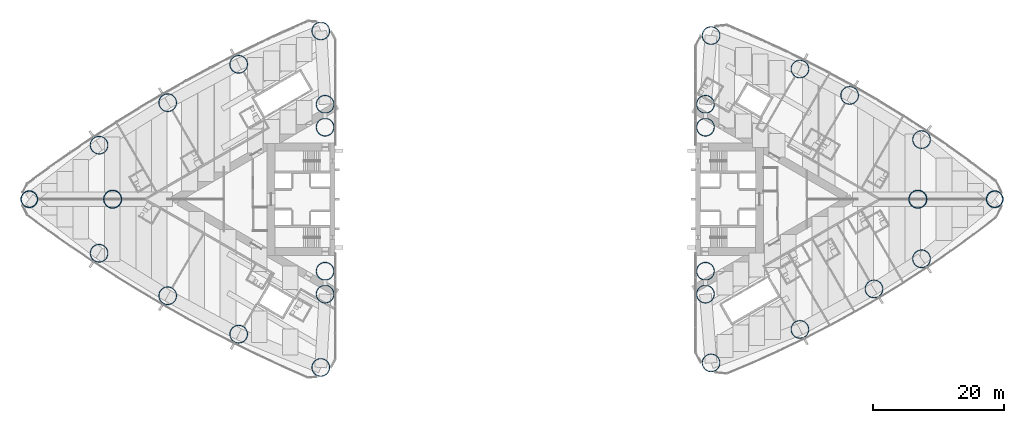
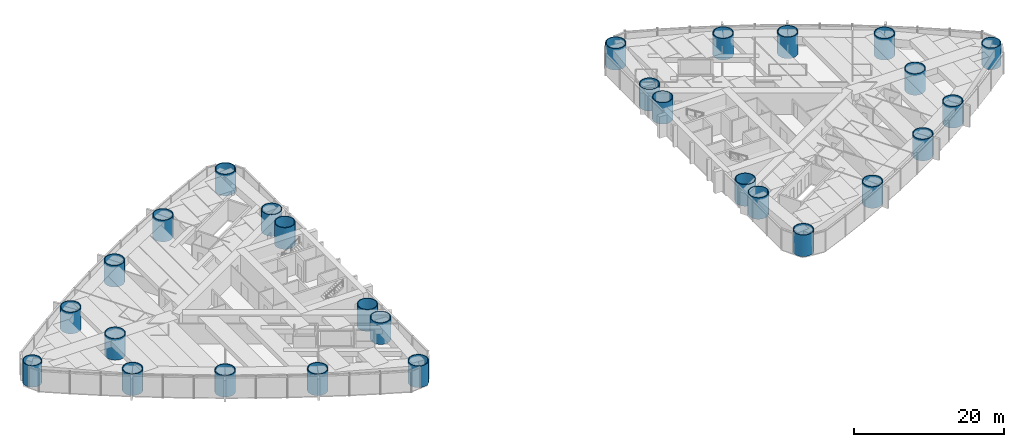
# One storey, part 1 of 19: 28 columns.
"""IFC4 building model written with IfcOpenShell, lengths in metres."""

from ifc_helpers import new_model, si_unit, direction, frame, origin, origin_2d, place, context, subcontext, project, spatial, hollow_circle, extrude, material, material_profile, profile_set, type_object, element, save


model = new_model("IFC4")

# Units and contexts
model_context = context("Model", 3, precision=1e-05, world=origin(), true_north=direction((0.0, 1.0)))
body_context = subcontext(model_context, "Body", "Model", "MODEL_VIEW")
ifc_project = project(units=[si_unit("LENGTHUNIT", "METRE"), si_unit("AREAUNIT", "SQUARE_METRE"), si_unit("VOLUMEUNIT", "CUBIC_METRE"), si_unit("PLANEANGLEUNIT", "RADIAN"), si_unit("MASSUNIT", "GRAM", prefix="KILO")], contexts=[model_context])

# Site, building, storey
site_placement = place(None, origin())
site = spatial("IfcSite", under=ifc_project, at=site_placement, CompositionType="ELEMENT")
building_placement = place(site_placement, origin())
building = spatial("IfcBuilding", under=site, at=building_placement, Name="Lancet Gate Hotel", CompositionType="ELEMENT")
storey_placement = place(building_placement, frame((0.0, 0.0, 67.0)))
storey = spatial("IfcBuildingStorey", under=building, at=storey_placement, Name="L17", CompositionType="ELEMENT", Elevation=67.0)

# Columns
ifc_material_1 = material(Name="Composite filled tube, grade 460 plate, grade 80/95 fill", Category="composite")
ifc_material_profile_1 = material_profile(ifc_material_1, hollow_circle(Radius=1.39990234375, WallThickness=0.10009765625, at=origin_2d()), Name="CHS 2800x100")
ifc_profile_set_1 = profile_set([ifc_material_profile_1], Name="Composite filled tube, grade 460 plate, grade 80/95 fill")
column_type_1 = type_object("IfcColumnType", Name="Apex column CFT CHS 2800x100", PredefinedType="COLUMN", material=ifc_profile_set_1)
for number, where, z_axis, x_axis, name in (
    (1, (-61.5, 0.0, 0.0), (0.0, 0.0, 1.0), (1.0, 0.0, 0.0), "T1 column AX L17"),
    (2, (61.5, 0.0, 0.0), (0.0, 0.0, 1.0), (1.0, 0.0, 0.0), "T2 column AX L17"),
):
    element("IfcColumn", number, at=place(storey_placement, frame(where, z_axis=z_axis, x_axis=x_axis)), inside=storey, type_object=column_type_1, Name=name, PredefinedType="COLUMN", context=body_context, shape_type="SweptSolid", body=[
        extrude(hollow_circle(Radius=1.39990234375, WallThickness=0.10009765625, at=origin_2d()), origin(), (0.0, 0.0, 1.0), 3.5),
    ])
ifc_material_2 = material(Name="Composite filled tube, grade 460 plate, grade 80/95 fill", Category="composite")
ifc_material_profile_2 = material_profile(ifc_material_2, hollow_circle(Radius=1.300048828125, WallThickness=0.10009765625, at=origin_2d()), Name="CHS 2600x100")
ifc_profile_set_2 = profile_set([ifc_material_profile_2], Name="Composite filled tube, grade 460 plate, grade 80/95 fill")
column_type_2 = type_object("IfcColumnType", Name="Apex corner column CFT CHS 2600x100", PredefinedType="COLUMN", material=ifc_profile_set_2)
for number, where, z_axis, x_axis, name in (
    (3, (-74.235107421875, 0.0, 0.0), (0.0, 0.0, 1.0), (1.0, 0.0, 0.0), "T1 column CA L17"),
    (4, (73.2392578125, 0.0, 0.0), (0.0, 0.0, 1.0), (1.0, 0.0, 0.0), "T2 column CA L17"),
):
    element("IfcColumn", number, at=place(storey_placement, frame(where, z_axis=z_axis, x_axis=x_axis)), inside=storey, type_object=column_type_2, Name=name, PredefinedType="COLUMN", context=body_context, shape_type="SweptSolid", body=[
        extrude(hollow_circle(Radius=1.300048828125, WallThickness=0.10009765625, at=origin_2d()), origin(), (0.0, 0.0, 1.0), 3.5),
    ])
ifc_material_3 = material(Name="Composite filled tube, grade 460 plate, grade 80/95 fill", Category="composite")
ifc_material_profile_3 = material_profile(ifc_material_3, hollow_circle(Radius=1.39990234375, WallThickness=0.1201171875, at=origin_2d()), Name="CHS 2800x120")
ifc_profile_set_3 = profile_set([ifc_material_profile_3], Name="Composite filled tube, grade 460 plate, grade 80/95 fill")
column_type_3 = type_object("IfcColumnType", Name="Perimeter column CFT CHS 2800x120", PredefinedType="COLUMN", material=ifc_profile_set_3)
for number, where, z_axis, x_axis, name in (
    (5, (-29.703369140625, -25.70263671875, 0.0), (0.0, 0.0, 1.0), (1.0, 0.0, 0.0), "T1 column CN L17"),
    (6, (-29.703369140625, 25.70263671875, 0.0), (0.0, 0.0, 1.0), (1.0, 0.0, 0.0), "T1 column CS L17"),
    (7, (-29.050048828125, -11.0, 0.0), (0.0, 0.0, 1.0), (1.0, 0.0, 0.0), "T1 column IN L17"),
    (8, (-29.050048828125, 11.0, 0.0), (0.0, 0.0, 1.0), (1.0, 0.0, 0.0), "T1 column IS L17"),
    (9, (-29.050048828125, 14.5, 0.0), (0.0, 0.0, 1.0), (1.0, 0.0, 0.0), "T1 column IT L17"),
    (10, (-29.050048828125, -14.5, 0.0), (0.0, 0.0, 1.0), (1.0, 0.0, 0.0), "T1 column JT L17"),
    (11, (-63.57177734375, -8.255126953125, 0.0), (0.0, 0.0, 1.0), (1.0, 0.0, 0.0), "T1 column ON1 L17"),
    (12, (-53.090087890625, -14.744873046875, 0.0), (0.0, 0.0, 1.0), (1.0, 0.0, 0.0), "T1 column ON2 L17"),
    (13, (-42.2451171875, -20.607421875, 0.0), (0.0, 0.0, 1.0), (1.0, 0.0, 0.0), "T1 column ON3 L17"),
    (14, (-42.2451171875, 20.607421875, 0.0), (0.0, 0.0, 1.0), (1.0, 0.0, 0.0), "T1 column OS1 L17"),
    (15, (-53.090087890625, 14.744873046875, 0.0), (0.0, 0.0, 1.0), (1.0, 0.0, 0.0), "T1 column OS2 L17"),
    (16, (-63.57177734375, 8.255126953125, 0.0), (0.0, 0.0, 1.0), (1.0, 0.0, 0.0), "T1 column OS3 L17"),
    (17, (29.9111328125, 25.00244140625, 0.0), (0.0, 0.0, 1.0), (1.0, 0.0, 0.0), "T2 column CN L17"),
    (18, (29.9111328125, -25.00244140625, 0.0), (0.0, 0.0, 1.0), (1.0, 0.0, 0.0), "T2 column CS L17"),
    (19, (29.050048828125, 11.0, 0.0), (0.0, 0.0, 1.0), (1.0, 0.0, 0.0), "T2 column IN L17"),
    (20, (29.050048828125, -11.0, 0.0), (0.0, 0.0, 1.0), (1.0, 0.0, 0.0), "T2 column IS L17"),
    (21, (29.050048828125, -14.5, 0.0), (0.0, 0.0, 1.0), (1.0, 0.0, 0.0), "T2 column IT L17"),
    (22, (29.050048828125, 14.5, 0.0), (0.0, 0.0, 1.0), (1.0, 0.0, 0.0), "T2 column JT L17"),
    (23, (62.059326171875, 9.10498046875, 0.0), (0.0, 0.0, 1.0), (1.0, 0.0, 0.0), "T2 column ON1 L17"),
    (24, (51.07763671875, 15.8583984375, 0.0), (0.0, 0.0, 1.0), (1.0, 0.0, 0.0), "T2 column ON2 L17"),
    (25, (43.484130859375, 19.886474609375, 0.0), (0.0, 0.0, 1.0), (1.0, 0.0, 0.0), "T2 column ON3 L17"),
    (26, (43.484130859375, -19.886474609375, 0.0), (0.0, 0.0, 1.0), (1.0, 0.0, 0.0), "T2 column OS1 L17"),
    (27, (54.795166015625, -13.70068359375, 0.0), (0.0, 0.0, 1.0), (1.0, 0.0, 0.0), "T2 column OS2 L17"),
    (28, (62.059326171875, -9.10498046875, 0.0), (0.0, 0.0, 1.0), (1.0, 0.0, 0.0), "T2 column OS3 L17"),
):
    element("IfcColumn", number, at=place(storey_placement, frame(where, z_axis=z_axis, x_axis=x_axis)), inside=storey, type_object=column_type_3, Name=name, PredefinedType="COLUMN", context=body_context, shape_type="SweptSolid", body=[
        extrude(hollow_circle(Radius=1.39990234375, WallThickness=0.1201171875, at=origin_2d()), origin(), (0.0, 0.0, 1.0), 3.5),
    ])

save(model, "model.ifc")
